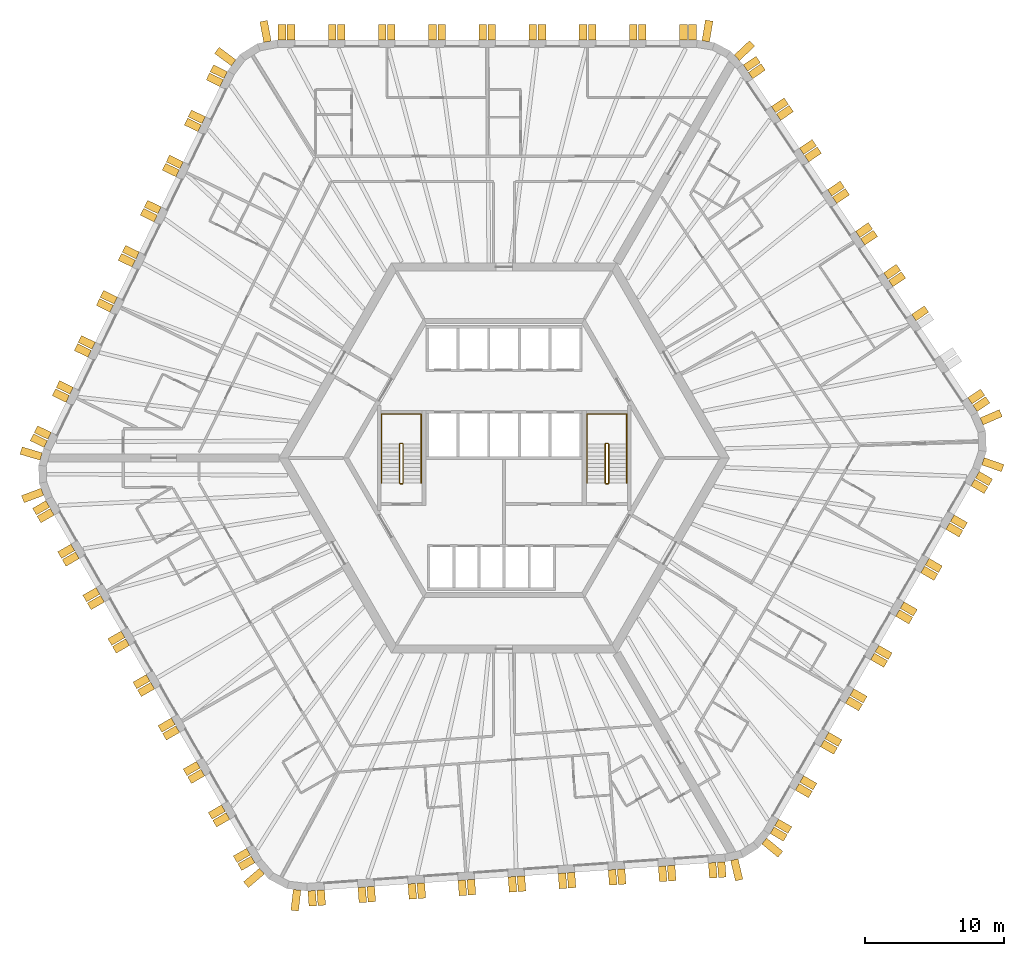
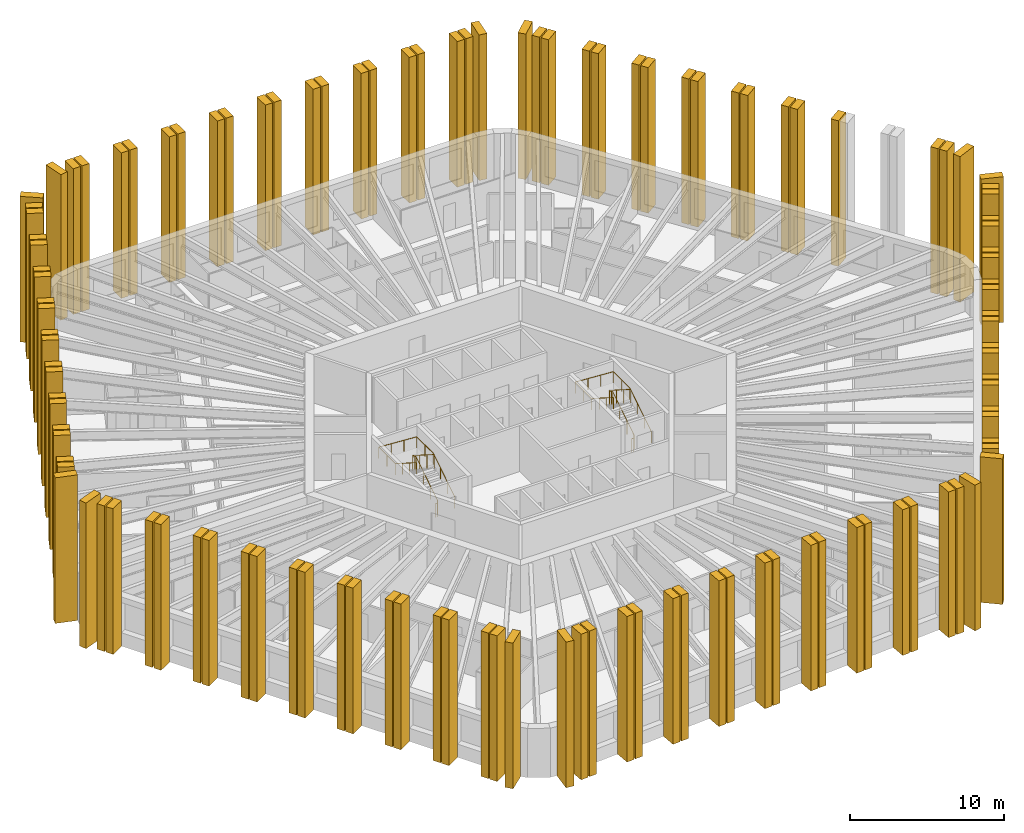
# One storey, part 12 of 13: 117 shading devices, 4 railings.
"""IFC4 building model written with IfcOpenShell, lengths in metres."""

from ifc_helpers import new_model, si_unit, direction, frame, origin, origin_2d, place, context, subcontext, project, spatial, polyline, circle, outline, extrude, material, layer, layer_set, type_object, element, save


model = new_model("IFC4")

# Units and contexts
model_context = context("Model", 3, precision=1e-05, world=origin(), true_north=direction((0.0, 1.0)))
body_context = subcontext(model_context, "Body", "Model", "MODEL_VIEW")
ifc_project = project(units=[si_unit("LENGTHUNIT", "METRE"), si_unit("AREAUNIT", "SQUARE_METRE"), si_unit("VOLUMEUNIT", "CUBIC_METRE"), si_unit("PLANEANGLEUNIT", "RADIAN"), si_unit("MASSUNIT", "GRAM", prefix="KILO")], contexts=[model_context])

# Site, building, storey
site_placement = place(None, origin())
site = spatial("IfcSite", under=ifc_project, at=site_placement, CompositionType="ELEMENT")
building_placement = place(site_placement, origin())
building = spatial("IfcBuilding", under=site, at=building_placement, Name="Tarnside Tower", CompositionType="ELEMENT")
storey_placement = place(building_placement, frame((0.0, 0.0, 135.0)))
storey = spatial("IfcBuildingStorey", under=building, at=storey_placement, Name="L31", CompositionType="ELEMENT", Elevation=135.0)

# Shading devices
ifc_material_1 = material(Name="Concrete C50/60 white precast", Category="concrete")
ifc_layer_1 = layer(ifc_material_1, 0.550048828125)
ifc_layer_set_1 = layer_set([ifc_layer_1], Name="Precast fin 550 x 1100")
shading_device_type_1 = type_object("IfcShadingDeviceType", Name="Precast fin 550 x 1100", PredefinedType="USERDEFINED", material=ifc_layer_set_1)
for number, where, z_axis, x_axis, name in (
    (1, (13.513916015625, 30.0, -0.14990234375), (1.0, 0.0, 0.0), (0.0, 1.0, 0.0), "Precast fin"),
    (2, (12.864013671875, 30.0, -0.14990234375), (1.0, 0.0, 0.0), (0.0, 1.0, 0.0), "Precast fin"),
    (3, (9.9140625, 30.0, -0.14990234375), (1.0, 0.0, 0.0), (0.0, 1.0, 0.0), "Precast fin"),
    (4, (9.263916015625, 30.0, -0.14990234375), (1.0, 0.0, 0.0), (0.0, 1.0, 0.0), "Precast fin"),
    (5, (6.31396484375, 30.0, -0.14990234375), (1.0, 0.0, 0.0), (0.0, 1.0, 0.0), "Precast fin"),
    (6, (5.6640625, 30.0, -0.14990234375), (1.0, 0.0, 0.0), (0.0, 1.0, 0.0), "Precast fin"),
    (7, (2.7138671875, 30.0, -0.14990234375), (1.0, 0.0, 0.0), (0.0, 1.0, 0.0), "Precast fin"),
    (8, (2.06396484375, 30.0, -0.14990234375), (1.0, 0.0, 0.0), (0.0, 1.0, 0.0), "Precast fin"),
    (9, (-0.885986328125, 30.0, -0.14990234375), (1.0, 0.0, 0.0), (0.0, 1.0, 0.0), "Precast fin"),
    (10, (-1.5361328125, 30.0, -0.14990234375), (1.0, 0.0, 0.0), (0.0, 1.0, 0.0), "Precast fin"),
    (11, (-4.486083984375, 30.0, -0.14990234375), (1.0, 0.0, 0.0), (0.0, 1.0, 0.0), "Precast fin"),
    (12, (-5.135986328125, 30.0, -0.14990234375), (1.0, 0.0, 0.0), (0.0, 1.0, 0.0), "Precast fin"),
    (13, (-8.0859375, 30.0, -0.14990234375), (1.0, 0.0, 0.0), (0.0, 1.0, 0.0), "Precast fin"),
    (14, (-8.736083984375, 30.0, -0.14990234375), (1.0, 0.0, 0.0), (0.0, 1.0, 0.0), "Precast fin"),
    (15, (-11.68603515625, 30.0, -0.14990234375), (1.0, 0.0, 0.0), (0.0, 1.0, 0.0), "Precast fin"),
    (16, (-12.3359375, 30.0, -0.14990234375), (1.0, 0.0, 0.0), (0.0, 1.0, 0.0), "Precast fin"),
    (17, (-15.2861328125, 30.0, -0.14990234375), (1.0, 0.0, 0.0), (0.0, 1.0, 0.0), "Precast fin"),
    (18, (-15.93603515625, 30.0, -0.14990234375), (1.0, 0.0, 0.0), (0.0, 1.0, 0.0), "Precast fin"),
    (19, (-19.977783203125, 27.474365234375, -0.14990234375), (0.438371146789, 0.898794046299, 0.0), (-0.898794046299, 0.438371146789, 0.0), "Precast fin"),
    (20, (-20.262939453125, 26.89013671875, -0.14990234375), (0.438371146789, 0.898794046299, 0.0), (-0.898794046299, 0.438371146789, 0.0), "Precast fin"),
    (21, (-21.555908203125, 24.23876953125, -0.14990234375), (0.438371146789, 0.898794046299, 0.0), (-0.898794046299, 0.438371146789, 0.0), "Precast fin"),
    (22, (-21.841064453125, 23.654541015625, -0.14990234375), (0.438371146789, 0.898794046299, 0.0), (-0.898794046299, 0.438371146789, 0.0), "Precast fin"),
    (23, (-23.13427734375, 21.003173828125, -0.14990234375), (0.438371146789, 0.898794046299, 0.0), (-0.898794046299, 0.438371146789, 0.0), "Precast fin"),
    (24, (-23.419189453125, 20.4189453125, -0.14990234375), (0.438371146789, 0.898794046299, 0.0), (-0.898794046299, 0.438371146789, 0.0), "Precast fin"),
    (25, (-24.71240234375, 17.767333984375, -0.14990234375), (0.438371146789, 0.898794046299, 0.0), (-0.898794046299, 0.438371146789, 0.0), "Precast fin"),
    (26, (-24.997314453125, 17.18310546875, -0.14990234375), (0.438371146789, 0.898794046299, 0.0), (-0.898794046299, 0.438371146789, 0.0), "Precast fin"),
    (27, (-26.29052734375, 14.53173828125, -0.14990234375), (0.438371146789, 0.898794046299, 0.0), (-0.898794046299, 0.438371146789, 0.0), "Precast fin"),
    (28, (-26.575439453125, 13.947509765625, -0.14990234375), (0.438371146789, 0.898794046299, 0.0), (-0.898794046299, 0.438371146789, 0.0), "Precast fin"),
    (29, (-27.86865234375, 11.296142578125, -0.14990234375), (0.438371146789, 0.898794046299, 0.0), (-0.898794046299, 0.438371146789, 0.0), "Precast fin"),
    (30, (-28.153564453125, 10.7119140625, -0.14990234375), (0.438371146789, 0.898794046299, 0.0), (-0.898794046299, 0.438371146789, 0.0), "Precast fin"),
    (31, (-29.44677734375, 8.060546875, -0.14990234375), (0.438371146789, 0.898794046299, 0.0), (-0.898794046299, 0.438371146789, 0.0), "Precast fin"),
    (32, (-29.731689453125, 7.476318359375, -0.14990234375), (0.438371146789, 0.898794046299, 0.0), (-0.898794046299, 0.438371146789, 0.0), "Precast fin"),
    (33, (-31.02490234375, 4.82470703125, -0.14990234375), (0.438371146789, 0.898794046299, 0.0), (-0.898794046299, 0.438371146789, 0.0), "Precast fin"),
    (34, (-31.309814453125, 4.240478515625, -0.14990234375), (0.438371146789, 0.898794046299, 0.0), (-0.898794046299, 0.438371146789, 0.0), "Precast fin"),
    (35, (-32.60302734375, 1.589111328125, -0.14990234375), (0.438371146789, 0.898794046299, 0.0), (-0.898794046299, 0.438371146789, 0.0), "Precast fin"),
    (36, (-32.887939453125, 1.0048828125, -0.14990234375), (0.438371146789, 0.898794046299, 0.0), (-0.898794046299, 0.438371146789, 0.0), "Precast fin"),
    (37, (-32.73779296875, -3.296630859375, -0.14990234375), (-0.5, 0.866025403784, 0.0), (-0.866025403784, -0.5, 0.0), "Precast fin"),
    (38, (-32.412841796875, -3.859375, -0.14990234375), (-0.5, 0.866025403784, 0.0), (-0.866025403784, -0.5, 0.0), "Precast fin"),
    (39, (-30.937744140625, -6.414306640625, -0.14990234375), (-0.5, 0.866025403784, 0.0), (-0.866025403784, -0.5, 0.0), "Precast fin"),
    (40, (-30.61279296875, -6.977294921875, -0.14990234375), (-0.5, 0.866025403784, 0.0), (-0.866025403784, -0.5, 0.0), "Precast fin"),
    (41, (-29.1376953125, -9.531982421875, -0.14990234375), (-0.5, 0.866025403784, 0.0), (-0.866025403784, -0.5, 0.0), "Precast fin"),
    (42, (-28.812744140625, -10.094970703125, -0.14990234375), (-0.5, 0.866025403784, 0.0), (-0.866025403784, -0.5, 0.0), "Precast fin"),
    (43, (-27.337646484375, -12.649658203125, -0.14990234375), (-0.5, 0.866025403784, 0.0), (-0.866025403784, -0.5, 0.0), "Precast fin"),
    (44, (-27.0126953125, -13.212646484375, -0.14990234375), (-0.5, 0.866025403784, 0.0), (-0.866025403784, -0.5, 0.0), "Precast fin"),
    (45, (-25.537841796875, -15.767333984375, -0.14990234375), (-0.5, 0.866025403784, 0.0), (-0.866025403784, -0.5, 0.0), "Precast fin"),
    (46, (-25.212646484375, -16.330322265625, -0.14990234375), (-0.5, 0.866025403784, 0.0), (-0.866025403784, -0.5, 0.0), "Precast fin"),
    (47, (-23.73779296875, -18.885009765625, -0.14990234375), (-0.5, 0.866025403784, 0.0), (-0.866025403784, -0.5, 0.0), "Precast fin"),
    (48, (-23.412841796875, -19.447998046875, -0.14990234375), (-0.5, 0.866025403784, 0.0), (-0.866025403784, -0.5, 0.0), "Precast fin"),
    (49, (-21.937744140625, -22.002685546875, -0.14990234375), (-0.5, 0.866025403784, 0.0), (-0.866025403784, -0.5, 0.0), "Precast fin"),
    (50, (-21.61279296875, -22.565673828125, -0.14990234375), (-0.5, 0.866025403784, 0.0), (-0.866025403784, -0.5, 0.0), "Precast fin"),
    (51, (-20.1376953125, -25.120361328125, -0.14990234375), (-0.5, 0.866025403784, 0.0), (-0.866025403784, -0.5, 0.0), "Precast fin"),
    (52, (-19.812744140625, -25.683349609375, -0.14990234375), (-0.5, 0.866025403784, 0.0), (-0.866025403784, -0.5, 0.0), "Precast fin"),
    (53, (-18.337646484375, -28.238037109375, -0.14990234375), (-0.5, 0.866025403784, 0.0), (-0.866025403784, -0.5, 0.0), "Precast fin"),
    (54, (-18.0126953125, -28.801025390625, -0.14990234375), (-0.5, 0.866025403784, 0.0), (-0.866025403784, -0.5, 0.0), "Precast fin"),
    (55, (-13.8046875, -31.03857421875, -0.14990234375), (-0.99756405026, -0.069756473744, 0.0), (0.069756473744, -0.99756405026, 0.0), "Precast fin"),
    (56, (-13.15625, -30.9931640625, -0.14990234375), (-0.99756405026, -0.069756473744, 0.0), (0.069756473744, -0.99756405026, 0.0), "Precast fin"),
    (57, (-10.21337890625, -30.787353515625, -0.14990234375), (-0.99756405026, -0.069756473744, 0.0), (0.069756473744, -0.99756405026, 0.0), "Precast fin"),
    (58, (-9.56494140625, -30.7421875, -0.14990234375), (-0.99756405026, -0.069756473744, 0.0), (0.069756473744, -0.99756405026, 0.0), "Precast fin"),
    (59, (-6.6220703125, -30.536376953125, -0.14990234375), (-0.99756405026, -0.069756473744, 0.0), (0.069756473744, -0.99756405026, 0.0), "Precast fin"),
    (60, (-5.9736328125, -30.490966796875, -0.14990234375), (-0.99756405026, -0.069756473744, 0.0), (0.069756473744, -0.99756405026, 0.0), "Precast fin"),
    (61, (-3.031005859375, -30.28515625, -0.14990234375), (-0.99756405026, -0.069756473744, 0.0), (0.069756473744, -0.99756405026, 0.0), "Precast fin"),
    (62, (-2.382568359375, -30.23974609375, -0.14990234375), (-0.99756405026, -0.069756473744, 0.0), (0.069756473744, -0.99756405026, 0.0), "Precast fin"),
    (63, (0.560302734375, -30.0341796875, -0.14990234375), (-0.99756405026, -0.069756473744, 0.0), (0.069756473744, -0.99756405026, 0.0), "Precast fin"),
    (64, (1.208740234375, -29.98876953125, -0.14990234375), (-0.99756405026, -0.069756473744, 0.0), (0.069756473744, -0.99756405026, 0.0), "Precast fin"),
    (65, (4.151611328125, -29.782958984375, -0.14990234375), (-0.99756405026, -0.069756473744, 0.0), (0.069756473744, -0.99756405026, 0.0), "Precast fin"),
    (66, (4.800048828125, -29.737548828125, -0.14990234375), (-0.99756405026, -0.069756473744, 0.0), (0.069756473744, -0.99756405026, 0.0), "Precast fin"),
    (67, (7.74267578125, -29.53173828125, -0.14990234375), (-0.99756405026, -0.069756473744, 0.0), (0.069756473744, -0.99756405026, 0.0), "Precast fin"),
    (68, (8.39111328125, -29.486572265625, -0.14990234375), (-0.99756405026, -0.069756473744, 0.0), (0.069756473744, -0.99756405026, 0.0), "Precast fin"),
    (69, (11.333984375, -29.28076171875, -0.14990234375), (-0.99756405026, -0.069756473744, 0.0), (0.069756473744, -0.99756405026, 0.0), "Precast fin"),
    (70, (11.982421875, -29.2353515625, -0.14990234375), (-0.99756405026, -0.069756473744, 0.0), (0.069756473744, -0.99756405026, 0.0), "Precast fin"),
    (71, (14.92529296875, -29.029541015625, -0.14990234375), (-0.99756405026, -0.069756473744, 0.0), (0.069756473744, -0.99756405026, 0.0), "Precast fin"),
    (72, (15.57373046875, -28.984130859375, -0.14990234375), (-0.99756405026, -0.069756473744, 0.0), (0.069756473744, -0.99756405026, 0.0), "Precast fin"),
    (73, (19.223876953125, -26.703369140625, -0.14990234375), (-0.5, -0.866025403784, 0.0), (0.866025403784, -0.5, 0.0), "Precast fin"),
    (74, (19.548828125, -26.140625, -0.14990234375), (-0.5, -0.866025403784, 0.0), (0.866025403784, -0.5, 0.0), "Precast fin"),
    (75, (21.023681640625, -23.585693359375, -0.14990234375), (-0.5, -0.866025403784, 0.0), (0.866025403784, -0.5, 0.0), "Precast fin"),
    (76, (21.348876953125, -23.022705078125, -0.14990234375), (-0.5, -0.866025403784, 0.0), (0.866025403784, -0.5, 0.0), "Precast fin"),
    (77, (22.82373046875, -20.468017578125, -0.14990234375), (-0.5, -0.866025403784, 0.0), (0.866025403784, -0.5, 0.0), "Precast fin"),
    (78, (23.148681640625, -19.905029296875, -0.14990234375), (-0.5, -0.866025403784, 0.0), (0.866025403784, -0.5, 0.0), "Precast fin"),
    (79, (24.623779296875, -17.350341796875, -0.14990234375), (-0.5, -0.866025403784, 0.0), (0.866025403784, -0.5, 0.0), "Precast fin"),
    (80, (24.94873046875, -16.787353515625, -0.14990234375), (-0.5, -0.866025403784, 0.0), (0.866025403784, -0.5, 0.0), "Precast fin"),
    (81, (26.423828125, -14.232666015625, -0.14990234375), (-0.5, -0.866025403784, 0.0), (0.866025403784, -0.5, 0.0), "Precast fin"),
    (82, (26.748779296875, -13.669677734375, -0.14990234375), (-0.5, -0.866025403784, 0.0), (0.866025403784, -0.5, 0.0), "Precast fin"),
    (83, (28.223876953125, -11.114990234375, -0.14990234375), (-0.5, -0.866025403784, 0.0), (0.866025403784, -0.5, 0.0), "Precast fin"),
    (84, (28.548828125, -10.552001953125, -0.14990234375), (-0.5, -0.866025403784, 0.0), (0.866025403784, -0.5, 0.0), "Precast fin"),
    (85, (30.023681640625, -7.997314453125, -0.14990234375), (-0.5, -0.866025403784, 0.0), (0.866025403784, -0.5, 0.0), "Precast fin"),
    (86, (30.348876953125, -7.434326171875, -0.14990234375), (-0.5, -0.866025403784, 0.0), (0.866025403784, -0.5, 0.0), "Precast fin"),
    (87, (31.82373046875, -4.879638671875, -0.14990234375), (-0.5, -0.866025403784, 0.0), (0.866025403784, -0.5, 0.0), "Precast fin"),
    (88, (32.148681640625, -4.316650390625, -0.14990234375), (-0.5, -0.866025403784, 0.0), (0.866025403784, -0.5, 0.0), "Precast fin"),
    (89, (33.623779296875, -1.761962890625, -0.14990234375), (-0.5, -0.866025403784, 0.0), (0.866025403784, -0.5, 0.0), "Precast fin"),
    (90, (33.94873046875, -1.198974609375, -0.14990234375), (-0.5, -0.866025403784, 0.0), (0.866025403784, -0.5, 0.0), "Precast fin"),
    (91, (33.782470703125, 3.564208984375, -0.14990234375), (0.559192903471, -0.829037572555, 0.0), (0.829037572555, 0.559192903471, 0.0), "Precast fin"),
    (92, (33.4189453125, 4.10302734375, -0.14990234375), (0.559192903471, -0.829037572555, 0.0), (0.829037572555, 0.559192903471, 0.0), "Precast fin"),
    (93, (29.392822265625, 10.072021484375, -0.14990234375), (0.559192903471, -0.829037572555, 0.0), (0.829037572555, 0.559192903471, 0.0), "Precast fin"),
    (94, (27.7431640625, 12.517822265625, -0.14990234375), (0.559192903471, -0.829037572555, 0.0), (0.829037572555, 0.559192903471, 0.0), "Precast fin"),
    (95, (27.379638671875, 13.056640625, -0.14990234375), (0.559192903471, -0.829037572555, 0.0), (0.829037572555, 0.559192903471, 0.0), "Precast fin"),
    (96, (25.730224609375, 15.502197265625, -0.14990234375), (0.559192903471, -0.829037572555, 0.0), (0.829037572555, 0.559192903471, 0.0), "Precast fin"),
    (97, (25.36669921875, 16.041259765625, -0.14990234375), (0.559192903471, -0.829037572555, 0.0), (0.829037572555, 0.559192903471, 0.0), "Precast fin"),
    (98, (23.717041015625, 18.48681640625, -0.14990234375), (0.559192903471, -0.829037572555, 0.0), (0.829037572555, 0.559192903471, 0.0), "Precast fin"),
    (99, (23.353515625, 19.025634765625, -0.14990234375), (0.559192903471, -0.829037572555, 0.0), (0.829037572555, 0.559192903471, 0.0), "Precast fin"),
    (100, (21.703857421875, 21.471435546875, -0.14990234375), (0.559192903471, -0.829037572555, 0.0), (0.829037572555, 0.559192903471, 0.0), "Precast fin"),
    (101, (21.34033203125, 22.01025390625, -0.14990234375), (0.559192903471, -0.829037572555, 0.0), (0.829037572555, 0.559192903471, 0.0), "Precast fin"),
    (102, (19.69091796875, 24.455810546875, -0.14990234375), (0.559192903471, -0.829037572555, 0.0), (0.829037572555, 0.559192903471, 0.0), "Precast fin"),
    (103, (19.327392578125, 24.994873046875, -0.14990234375), (0.559192903471, -0.829037572555, 0.0), (0.829037572555, 0.559192903471, 0.0), "Precast fin"),
    (104, (17.677734375, 27.4404296875, -0.14990234375), (0.559192903471, -0.829037572555, 0.0), (0.829037572555, 0.559192903471, 0.0), "Precast fin"),
    (105, (17.314208984375, 27.979248046875, -0.14990234375), (0.559192903471, -0.829037572555, 0.0), (0.829037572555, 0.559192903471, 0.0), "Precast fin"),
):
    element("IfcShadingDevice", number, at=place(storey_placement, frame(where, z_axis=z_axis, x_axis=x_axis)), inside=storey, type_object=shading_device_type_1, Name=name, ObjectType="FIN", PredefinedType="USERDEFINED", context=body_context, shape_type="SweptSolid", body=[
        extrude(outline(polyline([(0.0, 0.0), (1.10009765625, 0.0), (1.10009765625, 11.5498046875), (0.0, 11.5498046875), (0.0, 0.0)])), frame((0.0, 0.0, -0.27490234375)), (0.0, 0.0, 1.0), 0.550048828125),
    ])
ifc_layer_2 = layer(ifc_material_1, 0.550048828125)
ifc_layer_set_2 = layer_set([ifc_layer_2], Name="Precast fin 550 x 1500")
shading_device_type_2 = type_object("IfcShadingDeviceType", Name="Precast fin 550 x 1500", PredefinedType="USERDEFINED", material=ifc_layer_set_2)
for number, where, z_axis, x_axis, name in (
    (106, (-16.97509765625, 29.86767578125, -0.14990234375), (0.982720646705, 0.18509492305, 0.0), (-0.18509492305, 0.982720646705, 0.0), "Precast fin"),
    (107, (-19.403564453125, 28.35009765625, -0.14990234375), (0.597158591707, 0.802123192752, 0.0), (-0.802123192752, 0.597158591707, 0.0), "Precast fin"),
    (108, (-33.213623046875, 0.10546875, -0.14990234375), (0.286803232717, 0.957989512314, 0.0), (-0.957989512314, 0.286803232717, 0.0), "Precast fin"),
    (109, (-33.125244140625, -2.422119140625, -0.14990234375), (-0.352930564719, 0.935649515837, 0.0), (-0.935649515837, -0.352930564719, 0.0), "Precast fin"),
    (110, (-17.378662109375, -29.634765625, -0.14990234375), (-0.651657228826, 0.758513583345, 0.0), (-0.758513583345, -0.651657228826, 0.0), "Precast fin"),
    (111, (-14.850341796875, -30.97900390625, -0.14990234375), (-0.993238357741, 0.116092914131, 0.0), (-0.116092914131, -0.993238357741, 0.0), "Precast fin"),
    (112, (16.515625, -28.81640625, -0.14990234375), (-0.973044870581, -0.230615870737, 0.0), (0.230615870737, -0.973044870581, 0.0), "Precast fin"),
    (113, (18.66015625, -27.476318359375, -0.14990234375), (-0.633830967394, -0.773471592738, 0.0), (0.773471592738, -0.633830967394, 0.0), "Precast fin"),
    (114, (34.353759765625, -0.23291015625, -0.14990234375), (-0.331063417879, -0.943608506396, 0.0), (0.943608506396, -0.331063417879, 0.0), "Precast fin"),
    (115, (34.253662109375, 2.62890625, -0.14990234375), (0.396079766034, -0.918216106883, 0.0), (0.918216106883, 0.396079766034, 0.0), "Precast fin"),
    (116, (16.697998046875, 28.711181640625, -0.14990234375), (0.686241637865, -0.727373641577, 0.0), (0.727373641577, 0.686241637865, 0.0), "Precast fin"),
    (117, (14.465087890625, 29.8984375, -0.14990234375), (0.986761532114, -0.1621779231, 0.0), (0.1621779231, 0.986761532114, 0.0), "Precast fin"),
):
    element("IfcShadingDevice", number, at=place(storey_placement, frame(where, z_axis=z_axis, x_axis=x_axis)), inside=storey, type_object=shading_device_type_2, Name=name, ObjectType="FIN", PredefinedType="USERDEFINED", context=body_context, shape_type="SweptSolid", body=[
        extrude(outline(polyline([(0.0, 0.0), (1.5, 0.0), (1.5, 11.5498046875), (0.0, 11.5498046875), (0.0, 0.0)])), frame((0.0, 0.0, -0.27490234375)), (0.0, 0.0, 1.0), 0.550048828125),
    ])

# Railings
ifc_material_2 = material(Name="Stainless steel", Category="steel")
railing_type_1 = type_object("IfcRailingType", Name="Stair guard 1100", PredefinedType="GUARDRAIL", material=ifc_material_2)
railing_1_placement = place(storey_placement, frame((7.300048828125, -1.85009765625, 0.0)))
element("IfcRailing", 118, at=railing_1_placement, inside=storey, type_object=railing_type_1, Name="L31 ST1 stair guard 1", PredefinedType="GUARDRAIL", context=body_context, shape_type="SweptSolid", body=[
    extrude(circle(Radius=0.02392578125, at=origin_2d()), frame((0.0, 0.0, 1.076171875), z_axis=(1.0, 0.0, 0.0), x_axis=(0.0, 1.0, 0.0)), (0.0, 0.0, 1.0), 0.14990234375),
    extrude(circle(Radius=0.02392578125, at=origin_2d()), frame((0.14990234375, 0.0, 1.076171875), z_axis=(0.262233686654, 0.262233686654, 0.928691007369), x_axis=(-0.707106781187, 0.707106781187, 0.0)), (0.0, 0.0, 1.0), 0.19091796875),
    extrude(circle(Radius=0.02392578125, at=origin_2d()), frame((0.199951171875, 0.050048828125, 1.25341796875), z_axis=(0.0, 0.844908973607, 0.534910110503), x_axis=(-1.0, 0.0, 0.0)), (0.0, 0.0, 1.0), 3.31396484375),
    extrude(circle(Radius=0.02392578125, at=origin_2d()), frame((0.199951171875, 2.85009765625, 3.02587890625), z_axis=(-0.707106781187, 0.707106781187, 0.0), x_axis=(-0.707106781187, -0.707106781187, 0.0)), (0.0, 0.0, 1.0), 0.07080078125),
    extrude(circle(Radius=0.02392578125, at=origin_2d()), frame((0.14990234375, 2.900146484375, 3.02587890625), z_axis=(-1.0, 0.0, 0.0), x_axis=(0.0, -1.0, 0.0)), (0.0, 0.0, 1.0), 0.14990234375),
    extrude(circle(Radius=0.02392578125, at=origin_2d()), frame((0.0, 2.900146484375, 3.02587890625), z_axis=(-0.262233686654, -0.262233686654, 0.928691007369), x_axis=(0.707106781187, -0.707106781187, 0.0)), (0.0, 0.0, 1.0), 0.19091796875),
    extrude(circle(Radius=0.02392578125, at=origin_2d()), frame((-0.050048828125, 2.85009765625, 3.203125), z_axis=(0.0, -0.844908973607, 0.534910110503), x_axis=(1.0, 0.0, 0.0)), (0.0, 0.0, 1.0), 3.31396484375),
    extrude(circle(Radius=0.02099609375, at=origin_2d()), origin(), (0.0, 0.0, 1.0), 1.052001953125),
    extrude(circle(Radius=0.02099609375, at=origin_2d()), frame((0.14990234375, 0.0, 0.0)), (0.0, 0.0, 1.0), 1.052001953125),
    extrude(circle(Radius=0.02099609375, at=origin_2d()), frame((0.199951171875, 0.050048828125, 0.17724609375)), (0.0, 0.0, 1.0), 1.052001953125),
    extrude(circle(Radius=0.02099609375, at=origin_2d()), frame((0.199951171875, 0.9833984375, 0.76806640625)), (0.0, 0.0, 1.0), 1.052001953125),
    extrude(circle(Radius=0.02099609375, at=origin_2d()), frame((0.199951171875, 1.916748046875, 1.359130859375)), (0.0, 0.0, 1.0), 1.052001953125),
    extrude(circle(Radius=0.02099609375, at=origin_2d()), frame((0.199951171875, 2.85009765625, 1.949951171875)), (0.0, 0.0, 1.0), 1.052001953125),
    extrude(circle(Radius=0.02099609375, at=origin_2d()), frame((0.14990234375, 2.900146484375, 1.949951171875)), (0.0, 0.0, 1.0), 1.052001953125),
    extrude(circle(Radius=0.02099609375, at=origin_2d()), frame((0.0, 2.900146484375, 1.949951171875)), (0.0, 0.0, 1.0), 1.052001953125),
    extrude(circle(Radius=0.02099609375, at=origin_2d()), frame((-0.050048828125, 2.85009765625, 2.127197265625)), (0.0, 0.0, 1.0), 1.052001953125),
    extrude(circle(Radius=0.02099609375, at=origin_2d()), frame((-0.050048828125, 1.916748046875, 2.718017578125)), (0.0, 0.0, 1.0), 1.052001953125),
    extrude(circle(Radius=0.02099609375, at=origin_2d()), frame((-0.050048828125, 0.9833984375, 3.30908203125)), (0.0, 0.0, 1.0), 1.052001953125),
    extrude(circle(Radius=0.02099609375, at=origin_2d()), frame((-0.050048828125, 0.050048828125, 3.89990234375)), (0.0, 0.0, 1.0), 1.052001953125),
])
railing_2_placement = place(storey_placement, frame((-7.449951171875, -1.85009765625, 0.0)))
element("IfcRailing", 119, at=railing_2_placement, inside=storey, type_object=railing_type_1, Name="L31 ST2 stair guard 1", PredefinedType="GUARDRAIL", context=body_context, shape_type="SweptSolid", body=[
    extrude(circle(Radius=0.02392578125, at=origin_2d()), frame((0.0, 0.0, 1.076171875), z_axis=(1.0, 0.0, 0.0), x_axis=(0.0, 1.0, 0.0)), (0.0, 0.0, 1.0), 0.14990234375),
    extrude(circle(Radius=0.02392578125, at=origin_2d()), frame((0.14990234375, 0.0, 1.076171875), z_axis=(0.262233686654, 0.262233686654, 0.928691007369), x_axis=(-0.707106781187, 0.707106781187, 0.0)), (0.0, 0.0, 1.0), 0.19091796875),
    extrude(circle(Radius=0.02392578125, at=origin_2d()), frame((0.199951171875, 0.050048828125, 1.25341796875), z_axis=(0.0, 0.844908973607, 0.534910110503), x_axis=(-1.0, 0.0, 0.0)), (0.0, 0.0, 1.0), 3.31396484375),
    extrude(circle(Radius=0.02392578125, at=origin_2d()), frame((0.199951171875, 2.85009765625, 3.02587890625), z_axis=(-0.707106781187, 0.707106781187, 0.0), x_axis=(-0.707106781187, -0.707106781187, 0.0)), (0.0, 0.0, 1.0), 0.07080078125),
    extrude(circle(Radius=0.02392578125, at=origin_2d()), frame((0.14990234375, 2.900146484375, 3.02587890625), z_axis=(-1.0, 0.0, 0.0), x_axis=(0.0, -1.0, 0.0)), (0.0, 0.0, 1.0), 0.14990234375),
    extrude(circle(Radius=0.02392578125, at=origin_2d()), frame((0.0, 2.900146484375, 3.02587890625), z_axis=(-0.262233686654, -0.262233686654, 0.928691007369), x_axis=(0.707106781187, -0.707106781187, 0.0)), (0.0, 0.0, 1.0), 0.19091796875),
    extrude(circle(Radius=0.02392578125, at=origin_2d()), frame((-0.050048828125, 2.85009765625, 3.203125), z_axis=(0.0, -0.844908973607, 0.534910110503), x_axis=(1.0, 0.0, 0.0)), (0.0, 0.0, 1.0), 3.31396484375),
    extrude(circle(Radius=0.02099609375, at=origin_2d()), origin(), (0.0, 0.0, 1.0), 1.052001953125),
    extrude(circle(Radius=0.02099609375, at=origin_2d()), frame((0.14990234375, 0.0, 0.0)), (0.0, 0.0, 1.0), 1.052001953125),
    extrude(circle(Radius=0.02099609375, at=origin_2d()), frame((0.199951171875, 0.050048828125, 0.17724609375)), (0.0, 0.0, 1.0), 1.052001953125),
    extrude(circle(Radius=0.02099609375, at=origin_2d()), frame((0.199951171875, 0.9833984375, 0.76806640625)), (0.0, 0.0, 1.0), 1.052001953125),
    extrude(circle(Radius=0.02099609375, at=origin_2d()), frame((0.199951171875, 1.916748046875, 1.359130859375)), (0.0, 0.0, 1.0), 1.052001953125),
    extrude(circle(Radius=0.02099609375, at=origin_2d()), frame((0.199951171875, 2.85009765625, 1.949951171875)), (0.0, 0.0, 1.0), 1.052001953125),
    extrude(circle(Radius=0.02099609375, at=origin_2d()), frame((0.14990234375, 2.900146484375, 1.949951171875)), (0.0, 0.0, 1.0), 1.052001953125),
    extrude(circle(Radius=0.02099609375, at=origin_2d()), frame((0.0, 2.900146484375, 1.949951171875)), (0.0, 0.0, 1.0), 1.052001953125),
    extrude(circle(Radius=0.02099609375, at=origin_2d()), frame((-0.050048828125, 2.85009765625, 2.127197265625)), (0.0, 0.0, 1.0), 1.052001953125),
    extrude(circle(Radius=0.02099609375, at=origin_2d()), frame((-0.050048828125, 1.916748046875, 2.718017578125)), (0.0, 0.0, 1.0), 1.052001953125),
    extrude(circle(Radius=0.02099609375, at=origin_2d()), frame((-0.050048828125, 0.9833984375, 3.30908203125)), (0.0, 0.0, 1.0), 1.052001953125),
    extrude(circle(Radius=0.02099609375, at=origin_2d()), frame((-0.050048828125, 0.050048828125, 3.89990234375)), (0.0, 0.0, 1.0), 1.052001953125),
])
railing_type_2 = type_object("IfcRailingType", Name="Stair handrail 900", PredefinedType="HANDRAIL", material=ifc_material_2)
railing_3_placement = place(storey_placement, frame((8.800048828125, -1.800048828125, 0.17724609375)))
element("IfcRailing", 120, at=railing_3_placement, inside=storey, type_object=railing_type_2, Name="L31 ST1 stair handrail 1", PredefinedType="HANDRAIL", context=body_context, shape_type="SweptSolid", body=[
    extrude(circle(Radius=0.02392578125, at=origin_2d()), frame((0.0, 0.0, 0.8857421875), z_axis=(0.0, 0.844908973607, 0.534910110503), x_axis=(-1.0, 0.0, 0.0)), (0.0, 0.0, 1.0), 3.31396484375),
    extrude(circle(Radius=0.02392578125, at=origin_2d()), frame((0.0, 2.800048828125, 2.65869140625), z_axis=(0.0, 1.0, 0.0), x_axis=(-1.0, 0.0, 0.0)), (0.0, 0.0, 1.0), 2.14990234375),
    extrude(circle(Radius=0.02392578125, at=origin_2d()), frame((0.0, 4.949951171875, 2.65869140625), z_axis=(-0.998071825391, 0.0, 0.06206956872), x_axis=(0.0, -1.0, 0.0)), (0.0, 0.0, 1.0), 2.855712890625),
    extrude(circle(Radius=0.02392578125, at=origin_2d()), frame((-2.85009765625, 4.949951171875, 2.8359375), z_axis=(0.0, -1.0, 0.0), x_axis=(1.0, 0.0, 0.0)), (0.0, 0.0, 1.0), 2.14990234375),
    extrude(circle(Radius=0.02392578125, at=origin_2d()), frame((-2.85009765625, 2.800048828125, 2.8359375), z_axis=(0.0, -0.844908973607, 0.534910110503), x_axis=(1.0, 0.0, 0.0)), (0.0, 0.0, 1.0), 3.31396484375),
    extrude(circle(Radius=0.02099609375, at=origin_2d()), origin(), (0.0, 0.0, 1.0), 0.86181640625),
    extrude(circle(Radius=0.02099609375, at=origin_2d()), frame((0.0, 0.933349609375, 0.5908203125)), (0.0, 0.0, 1.0), 0.86181640625),
    extrude(circle(Radius=0.02099609375, at=origin_2d()), frame((0.0, 1.86669921875, 1.181884765625)), (0.0, 0.0, 1.0), 0.86181640625),
    extrude(circle(Radius=0.02099609375, at=origin_2d()), frame((0.0, 2.800048828125, 1.772705078125)), (0.0, 0.0, 1.0), 0.86181640625),
    extrude(circle(Radius=0.02099609375, at=origin_2d()), frame((0.0, 3.875, 1.772705078125)), (0.0, 0.0, 1.0), 0.86181640625),
    extrude(circle(Radius=0.02099609375, at=origin_2d()), frame((0.0, 4.949951171875, 1.772705078125)), (0.0, 0.0, 1.0), 0.86181640625),
    extrude(circle(Radius=0.02099609375, at=origin_2d()), frame((-0.949951171875, 4.949951171875, 1.831787109375)), (0.0, 0.0, 1.0), 0.86181640625),
    extrude(circle(Radius=0.02099609375, at=origin_2d()), frame((-1.900146484375, 4.949951171875, 1.890869140625)), (0.0, 0.0, 1.0), 0.86181640625),
    extrude(circle(Radius=0.02099609375, at=origin_2d()), frame((-2.85009765625, 4.949951171875, 1.949951171875)), (0.0, 0.0, 1.0), 0.86181640625),
    extrude(circle(Radius=0.02099609375, at=origin_2d()), frame((-2.85009765625, 3.875, 1.949951171875)), (0.0, 0.0, 1.0), 0.86181640625),
    extrude(circle(Radius=0.02099609375, at=origin_2d()), frame((-2.85009765625, 2.800048828125, 1.949951171875)), (0.0, 0.0, 1.0), 0.86181640625),
    extrude(circle(Radius=0.02099609375, at=origin_2d()), frame((-2.85009765625, 1.86669921875, 2.540771484375)), (0.0, 0.0, 1.0), 0.86181640625),
    extrude(circle(Radius=0.02099609375, at=origin_2d()), frame((-2.85009765625, 0.933349609375, 3.1318359375)), (0.0, 0.0, 1.0), 0.86181640625),
    extrude(circle(Radius=0.02099609375, at=origin_2d()), frame((-2.85009765625, 0.0, 3.72265625)), (0.0, 0.0, 1.0), 0.86181640625),
])
railing_4_placement = place(storey_placement, frame((-5.949951171875, -1.800048828125, 0.17724609375)))
element("IfcRailing", 121, at=railing_4_placement, inside=storey, type_object=railing_type_2, Name="L31 ST2 stair handrail 1", PredefinedType="HANDRAIL", context=body_context, shape_type="SweptSolid", body=[
    extrude(circle(Radius=0.02392578125, at=origin_2d()), frame((0.0, 0.0, 0.8857421875), z_axis=(0.0, 0.844908973607, 0.534910110503), x_axis=(-1.0, 0.0, 0.0)), (0.0, 0.0, 1.0), 3.31396484375),
    extrude(circle(Radius=0.02392578125, at=origin_2d()), frame((0.0, 2.800048828125, 2.65869140625), z_axis=(0.0, 1.0, 0.0), x_axis=(-1.0, 0.0, 0.0)), (0.0, 0.0, 1.0), 2.14990234375),
    extrude(circle(Radius=0.02392578125, at=origin_2d()), frame((0.0, 4.949951171875, 2.65869140625), z_axis=(-0.998071825391, 0.0, 0.06206956872), x_axis=(0.0, -1.0, 0.0)), (0.0, 0.0, 1.0), 2.855712890625),
    extrude(circle(Radius=0.02392578125, at=origin_2d()), frame((-2.85009765625, 4.949951171875, 2.8359375), z_axis=(0.0, -1.0, 0.0), x_axis=(1.0, 0.0, 0.0)), (0.0, 0.0, 1.0), 2.14990234375),
    extrude(circle(Radius=0.02392578125, at=origin_2d()), frame((-2.85009765625, 2.800048828125, 2.8359375), z_axis=(0.0, -0.844908973607, 0.534910110503), x_axis=(1.0, 0.0, 0.0)), (0.0, 0.0, 1.0), 3.31396484375),
    extrude(circle(Radius=0.02099609375, at=origin_2d()), origin(), (0.0, 0.0, 1.0), 0.86181640625),
    extrude(circle(Radius=0.02099609375, at=origin_2d()), frame((0.0, 0.933349609375, 0.5908203125)), (0.0, 0.0, 1.0), 0.86181640625),
    extrude(circle(Radius=0.02099609375, at=origin_2d()), frame((0.0, 1.86669921875, 1.181884765625)), (0.0, 0.0, 1.0), 0.86181640625),
    extrude(circle(Radius=0.02099609375, at=origin_2d()), frame((0.0, 2.800048828125, 1.772705078125)), (0.0, 0.0, 1.0), 0.86181640625),
    extrude(circle(Radius=0.02099609375, at=origin_2d()), frame((0.0, 3.875, 1.772705078125)), (0.0, 0.0, 1.0), 0.86181640625),
    extrude(circle(Radius=0.02099609375, at=origin_2d()), frame((0.0, 4.949951171875, 1.772705078125)), (0.0, 0.0, 1.0), 0.86181640625),
    extrude(circle(Radius=0.02099609375, at=origin_2d()), frame((-0.949951171875, 4.949951171875, 1.831787109375)), (0.0, 0.0, 1.0), 0.86181640625),
    extrude(circle(Radius=0.02099609375, at=origin_2d()), frame((-1.900146484375, 4.949951171875, 1.890869140625)), (0.0, 0.0, 1.0), 0.86181640625),
    extrude(circle(Radius=0.02099609375, at=origin_2d()), frame((-2.85009765625, 4.949951171875, 1.949951171875)), (0.0, 0.0, 1.0), 0.86181640625),
    extrude(circle(Radius=0.02099609375, at=origin_2d()), frame((-2.85009765625, 3.875, 1.949951171875)), (0.0, 0.0, 1.0), 0.86181640625),
    extrude(circle(Radius=0.02099609375, at=origin_2d()), frame((-2.85009765625, 2.800048828125, 1.949951171875)), (0.0, 0.0, 1.0), 0.86181640625),
    extrude(circle(Radius=0.02099609375, at=origin_2d()), frame((-2.85009765625, 1.86669921875, 2.540771484375)), (0.0, 0.0, 1.0), 0.86181640625),
    extrude(circle(Radius=0.02099609375, at=origin_2d()), frame((-2.85009765625, 0.933349609375, 3.1318359375)), (0.0, 0.0, 1.0), 0.86181640625),
    extrude(circle(Radius=0.02099609375, at=origin_2d()), frame((-2.85009765625, 0.0, 3.72265625)), (0.0, 0.0, 1.0), 0.86181640625),
])

save(model, "model.ifc")
